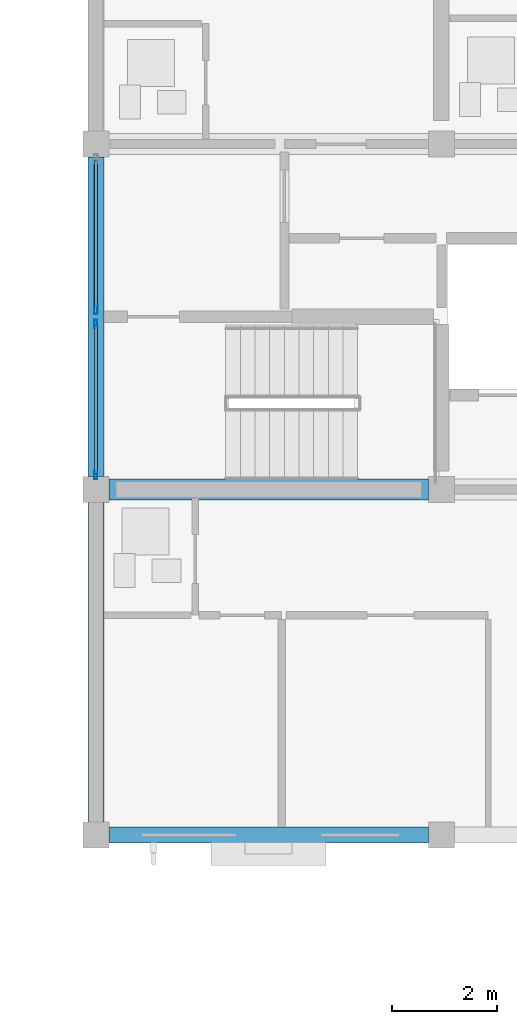
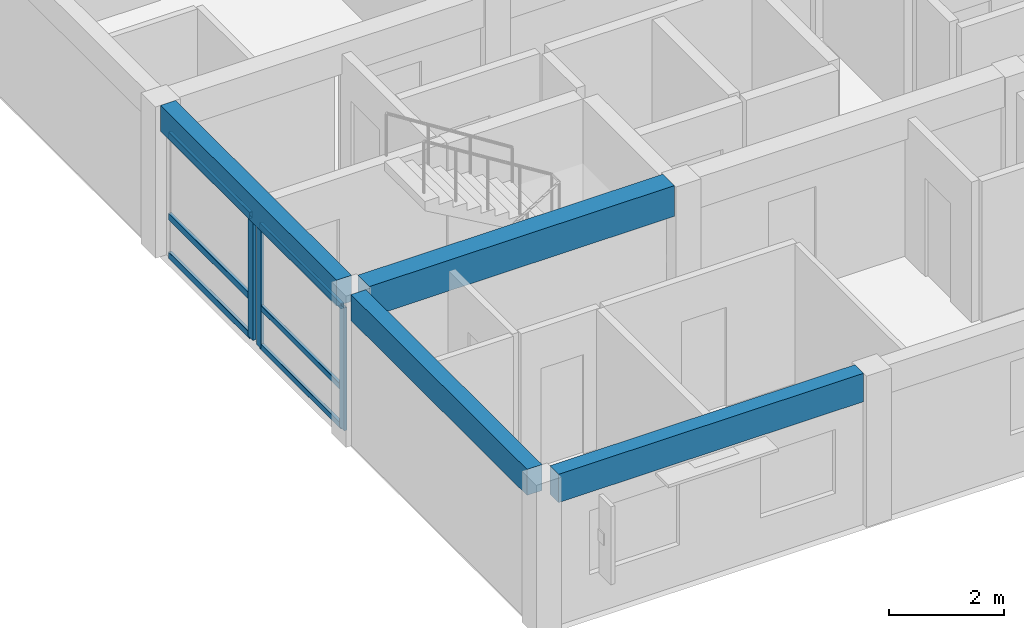
# One storey, part 18 of 49: 9 members, 4 beams, 2 elements without a shape of their own.
"""IFC4 building model written with IfcOpenShell, lengths in metres."""

from ifc_helpers import new_model, si_unit, direction, frame, origin, origin_2d, place, context, subcontext, project, spatial, rectangle, hollow_rectangle, extrude, material, material_profile, profile_set, type_object, element, aggregate, save


model = new_model("IFC4")

# Units and contexts
model_context = context("Model", 3, precision=1e-05, world=origin(), true_north=direction((0.0, 1.0)))
body_context = subcontext(model_context, "Body", "Model", "MODEL_VIEW")
ifc_project = project(units=[si_unit("LENGTHUNIT", "METRE"), si_unit("AREAUNIT", "SQUARE_METRE"), si_unit("VOLUMEUNIT", "CUBIC_METRE"), si_unit("PLANEANGLEUNIT", "RADIAN"), si_unit("MASSUNIT", "GRAM", prefix="KILO")], contexts=[model_context])

# Site, building, storey
site_placement = place(None, origin())
site = spatial("IfcSite", under=ifc_project, at=site_placement, CompositionType="ELEMENT")
building_placement = place(site_placement, origin())
building = spatial("IfcBuilding", under=site, at=building_placement, Name="Kernevlak Ridge Housing Community", CompositionType="ELEMENT")
storey_placement = place(building_placement, frame((0.0, 0.0, 30.800048828125)))
storey = spatial("IfcBuildingStorey", under=building, at=storey_placement, Name="L09", CompositionType="ELEMENT", Elevation=30.800048828125)

# Beam
ifc_material_1 = material(Name="Concrete C35/45", Category="concrete")
ifc_material_profile_1 = material_profile(ifc_material_1, rectangle(XDim=0.39990234375, YDim=0.64990234375, at=origin_2d()), Name="RC 400x650")
ifc_profile_set_1 = profile_set([ifc_material_profile_1], Name="Concrete C35/45")
beam_type_1 = type_object("IfcBeamType", Name="B-03", PredefinedType="T_BEAM", material=ifc_profile_set_1)
beam_1_placement = place(storey_placement, frame((119.64990234375, 89.199951171875, 2.875), z_axis=(1.0, 0.0, 0.0), x_axis=(0.0, 1.0, 0.0)))
element("IfcBeam", 1, at=beam_1_placement, inside=storey, type_object=beam_type_1, Name="Beam B-03 L09 816", PredefinedType="T_BEAM", context=body_context, shape_type="SweptSolid", body=[
    extrude(rectangle(XDim=0.39990234375, YDim=0.64990234375, at=origin_2d()), origin(), (0.0, 0.0, 1.0), 6.10009765625),
])

# Curtain wall, members
ifc_material_2 = material(Name="Aluminium EN AW-6060 anodised and laminated glass", Category="aluminium")
curtain_wall_type_1 = type_object("IfcCurtainWallType", Name="CW-04", PredefinedType="NOTDEFINED", material=ifc_material_2)
curtain_wall_1_placement = place(storey_placement, origin())
curtain_wall_1 = element("IfcCurtainWall", 2, at=curtain_wall_1_placement, inside=storey, type_object=curtain_wall_type_1, Name="Curtain wall CW-04 CW-L09-082", PredefinedType="NOTDEFINED")
ifc_material_3 = material(Name="Aluminium EN AW-6060 anodised", Category="aluminium")
ifc_material_profile_2 = material_profile(ifc_material_3, hollow_rectangle(XDim=0.06005859375, YDim=0.159912109375, WallThickness=0.00390625, InnerFilletRadius=0.001953125, OuterFilletRadius=0.00390625, at=origin_2d()), Name="ALU 60x160x4")
ifc_profile_set_2 = profile_set([ifc_material_profile_2], Name="Aluminium EN AW-6060 anodised")
member_type_1 = type_object("IfcMemberType", Name="MU-02", PredefinedType="MULLION", material=ifc_profile_set_2)
member_1_placement = place(storey_placement, frame((119.39990234375, 89.47998046875, 0.0), z_axis=(0.0, 0.0, 1.0), x_axis=(-1.0, 0.0, 0.0)))
member_1 = element("IfcMember", 3, at=member_1_placement, type_object=member_type_1, Name="CW-04 mullion 1", PredefinedType="MULLION", context=body_context, shape_type="SweptSolid", body=[
    extrude(hollow_rectangle(XDim=0.06005859375, YDim=0.159912109375, WallThickness=0.00390625, InnerFilletRadius=0.001953125, OuterFilletRadius=0.00390625, at=origin_2d()), origin(), (0.0, 0.0, 1.0), 2.599853515625),
])
member_2_placement = place(storey_placement, frame((119.39990234375, 92.360107421875, 0.0), z_axis=(0.0, 0.0, 1.0), x_axis=(-1.0, 0.0, 0.0)))
member_2 = element("IfcMember", 4, at=member_2_placement, type_object=member_type_1, Name="CW-04 mullion 2", PredefinedType="MULLION", context=body_context, shape_type="SweptSolid", body=[
    extrude(hollow_rectangle(XDim=0.06005859375, YDim=0.159912109375, WallThickness=0.00390625, InnerFilletRadius=0.001953125, OuterFilletRadius=0.00390625, at=origin_2d()), origin(), (0.0, 0.0, 1.0), 2.599853515625),
])

# Curtain wall, member
curtain_wall_type_2 = type_object("IfcCurtainWallType", Name="CW-10", PredefinedType="NOTDEFINED", material=ifc_material_2)
curtain_wall_2_placement = place(storey_placement, origin())
curtain_wall_2 = element("IfcCurtainWall", 5, at=curtain_wall_2_placement, inside=storey, type_object=curtain_wall_type_2, Name="Curtain wall CW-10 CW-L09-083", PredefinedType="NOTDEFINED")
ifc_material_profile_3 = material_profile(ifc_material_3, hollow_rectangle(XDim=0.06494140625, YDim=0.179931640625, WallThickness=0.00439453125, InnerFilletRadius=0.001953125, OuterFilletRadius=0.00439453125, at=origin_2d()), Name="ALU 65x180x4.5")
ifc_profile_set_3 = profile_set([ifc_material_profile_3], Name="Aluminium EN AW-6060 anodised")
member_type_2 = type_object("IfcMemberType", Name="MU-03", PredefinedType="MULLION", material=ifc_profile_set_3)
member_3_placement = place(storey_placement, frame((119.39990234375, 92.642578125, 0.0), z_axis=(0.0, 0.0, 1.0), x_axis=(-1.0, 0.0, 0.0)))
member_3 = element("IfcMember", 6, at=member_3_placement, type_object=member_type_2, Name="CW-10 mullion 1", PredefinedType="MULLION", context=body_context, shape_type="SweptSolid", body=[
    extrude(hollow_rectangle(XDim=0.06494140625, YDim=0.179931640625, WallThickness=0.00439453125, InnerFilletRadius=0.001953125, OuterFilletRadius=0.00439453125, at=origin_2d()), origin(), (0.0, 0.0, 1.0), 2.599853515625),
])

# Beams
ifc_material_profile_4 = material_profile(ifc_material_1, rectangle(XDim=0.300048828125, YDim=0.550048828125, at=origin_2d()), Name="RC 300x550")
ifc_profile_set_4 = profile_set([ifc_material_profile_4], Name="Concrete C35/45")
beam_type_2 = type_object("IfcBeamType", Name="SP-01", PredefinedType="SPANDREL", material=ifc_profile_set_4)
beam_2_placement = place(storey_placement, frame((119.39990234375, 82.85009765625, 2.925048828125), z_axis=(0.0, 1.0, 0.0), x_axis=(-1.0, 0.0, 0.0)))
element("IfcBeam", 7, at=beam_2_placement, inside=storey, type_object=beam_type_2, Name="Beam SP-01 L09 831", PredefinedType="SPANDREL", context=body_context, shape_type="SweptSolid", body=[
    extrude(rectangle(XDim=0.300048828125, YDim=0.550048828125, at=origin_2d()), origin(), (0.0, 0.0, 1.0), 6.099853515625),
])
beam_3_placement = place(storey_placement, frame((119.39990234375, 89.449951171875, 2.925048828125), z_axis=(0.0, 1.0, 0.0), x_axis=(-1.0, 0.0, 0.0)))
element("IfcBeam", 8, at=beam_3_placement, inside=storey, type_object=beam_type_2, Name="Beam SP-01 L09 832", PredefinedType="SPANDREL", context=body_context, shape_type="SweptSolid", body=[
    extrude(rectangle(XDim=0.300048828125, YDim=0.550048828125, at=origin_2d()), origin(), (0.0, 0.0, 1.0), 6.10009765625),
])
ifc_material_profile_5 = material_profile(ifc_material_1, rectangle(XDim=0.300048828125, YDim=0.60009765625, at=origin_2d()), Name="RC 300x600")
ifc_profile_set_5 = profile_set([ifc_material_profile_5], Name="Concrete C35/45")
beam_type_3 = type_object("IfcBeamType", Name="SP-02", PredefinedType="SPANDREL", material=ifc_profile_set_5)
beam_4_placement = place(storey_placement, frame((119.64990234375, 82.60009765625, 2.89990234375), z_axis=(1.0, 0.0, 0.0), x_axis=(0.0, 1.0, 0.0)))
element("IfcBeam", 9, at=beam_4_placement, inside=storey, type_object=beam_type_3, Name="Beam SP-02 L09 811", PredefinedType="SPANDREL", context=body_context, shape_type="SweptSolid", body=[
    extrude(rectangle(XDim=0.300048828125, YDim=0.60009765625, at=origin_2d()), origin(), (0.0, 0.0, 1.0), 6.10009765625),
])

# Member
ifc_material_profile_6 = material_profile(ifc_material_3, hollow_rectangle(XDim=0.06005859375, YDim=0.1201171875, WallThickness=0.00390625, InnerFilletRadius=0.001953125, OuterFilletRadius=0.00390625, at=origin_2d()), Name="ALU 60x120x4")
ifc_profile_set_6 = profile_set([ifc_material_profile_6], Name="Aluminium EN AW-6060 anodised")
member_type_3 = type_object("IfcMemberType", Name="TM-02", PredefinedType="USERDEFINED", material=ifc_profile_set_6)
member_4_placement = place(storey_placement, frame((119.39990234375, 89.510009765625, 0.030029296875), z_axis=(0.0, 1.0, 0.0), x_axis=(-1.0, 0.0, 0.0)))
member_4 = element("IfcMember", 10, at=member_4_placement, type_object=member_type_3, Name="CW-04 transom 1.1", ObjectType="TRANSOM", PredefinedType="USERDEFINED", context=body_context, shape_type="SweptSolid", body=[
    extrude(hollow_rectangle(XDim=0.06005859375, YDim=0.1201171875, WallThickness=0.00390625, InnerFilletRadius=0.001953125, OuterFilletRadius=0.00390625, at=origin_2d()), origin(), (0.0, 0.0, 1.0), 2.820068359375),
])

member_5_placement = place(storey_placement, frame((119.39990234375, 89.510009765625, 0.849853515625), z_axis=(0.0, 1.0, 0.0), x_axis=(-1.0, 0.0, 0.0)))
member_5 = element("IfcMember", 11, at=member_5_placement, type_object=member_type_3, Name="CW-04 transom 1.2", ObjectType="TRANSOM", PredefinedType="USERDEFINED", context=body_context, shape_type="SweptSolid", body=[
    extrude(hollow_rectangle(XDim=0.06005859375, YDim=0.1201171875, WallThickness=0.00390625, InnerFilletRadius=0.001953125, OuterFilletRadius=0.00390625, at=origin_2d()), origin(), (0.0, 0.0, 1.0), 2.820068359375),
])

member_6_placement = place(storey_placement, frame((119.39990234375, 89.510009765625, 2.570068359375), z_axis=(0.0, 1.0, 0.0), x_axis=(-1.0, 0.0, 0.0)))
member_6 = element("IfcMember", 12, at=member_6_placement, type_object=member_type_3, Name="CW-04 transom 1.3", ObjectType="TRANSOM", PredefinedType="USERDEFINED", context=body_context, shape_type="SweptSolid", body=[
    extrude(hollow_rectangle(XDim=0.06005859375, YDim=0.1201171875, WallThickness=0.00390625, InnerFilletRadius=0.001953125, OuterFilletRadius=0.00390625, at=origin_2d()), origin(), (0.0, 0.0, 1.0), 2.820068359375),
])

aggregate(curtain_wall_1, [member_1, member_2, member_4, member_5, member_6])

ifc_material_profile_7 = material_profile(ifc_material_3, hollow_rectangle(XDim=0.06494140625, YDim=0.139892578125, WallThickness=0.00390625, InnerFilletRadius=0.001953125, OuterFilletRadius=0.00390625, at=origin_2d()), Name="ALU 65x140x4")
ifc_profile_set_7 = profile_set([ifc_material_profile_7], Name="Aluminium EN AW-6060 anodised")
member_type_4 = type_object("IfcMemberType", Name="TM-03", PredefinedType="USERDEFINED", material=ifc_profile_set_7)
member_7_placement = place(storey_placement, frame((119.39990234375, 92.675048828125, 0.032470703125), z_axis=(0.0, 1.0, 0.0), x_axis=(-1.0, 0.0, 0.0)))
member_7 = element("IfcMember", 13, at=member_7_placement, type_object=member_type_4, Name="CW-10 transom 1.1", ObjectType="TRANSOM", PredefinedType="USERDEFINED", context=body_context, shape_type="SweptSolid", body=[
    extrude(hollow_rectangle(XDim=0.06494140625, YDim=0.139892578125, WallThickness=0.00390625, InnerFilletRadius=0.001953125, OuterFilletRadius=0.00390625, at=origin_2d()), origin(), (0.0, 0.0, 1.0), 2.81005859375),
])

member_8_placement = place(storey_placement, frame((119.39990234375, 92.675048828125, 0.849853515625), z_axis=(0.0, 1.0, 0.0), x_axis=(-1.0, 0.0, 0.0)))
member_8 = element("IfcMember", 14, at=member_8_placement, type_object=member_type_4, Name="CW-10 transom 1.2", ObjectType="TRANSOM", PredefinedType="USERDEFINED", context=body_context, shape_type="SweptSolid", body=[
    extrude(hollow_rectangle(XDim=0.06494140625, YDim=0.139892578125, WallThickness=0.00390625, InnerFilletRadius=0.001953125, OuterFilletRadius=0.00390625, at=origin_2d()), origin(), (0.0, 0.0, 1.0), 2.81005859375),
])

member_9_placement = place(storey_placement, frame((119.39990234375, 92.675048828125, 2.5673828125), z_axis=(0.0, 1.0, 0.0), x_axis=(-1.0, 0.0, 0.0)))
member_9 = element("IfcMember", 15, at=member_9_placement, type_object=member_type_4, Name="CW-10 transom 1.3", ObjectType="TRANSOM", PredefinedType="USERDEFINED", context=body_context, shape_type="SweptSolid", body=[
    extrude(hollow_rectangle(XDim=0.06494140625, YDim=0.139892578125, WallThickness=0.00390625, InnerFilletRadius=0.001953125, OuterFilletRadius=0.00390625, at=origin_2d()), origin(), (0.0, 0.0, 1.0), 2.81005859375),
])

aggregate(curtain_wall_2, [member_3, member_7, member_8, member_9])

save(model, "model.ifc")
